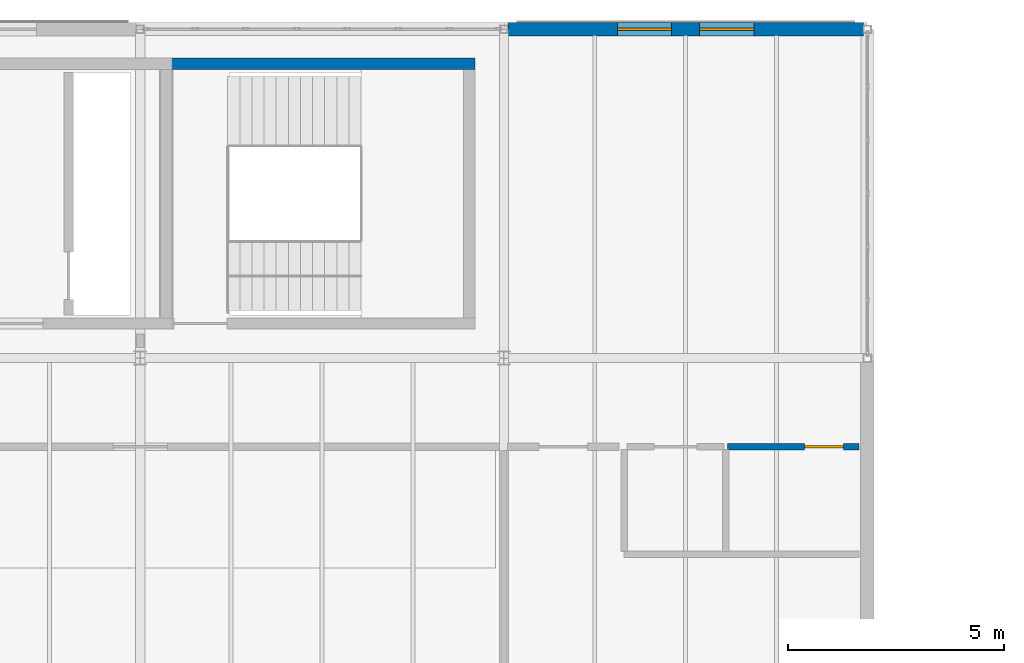
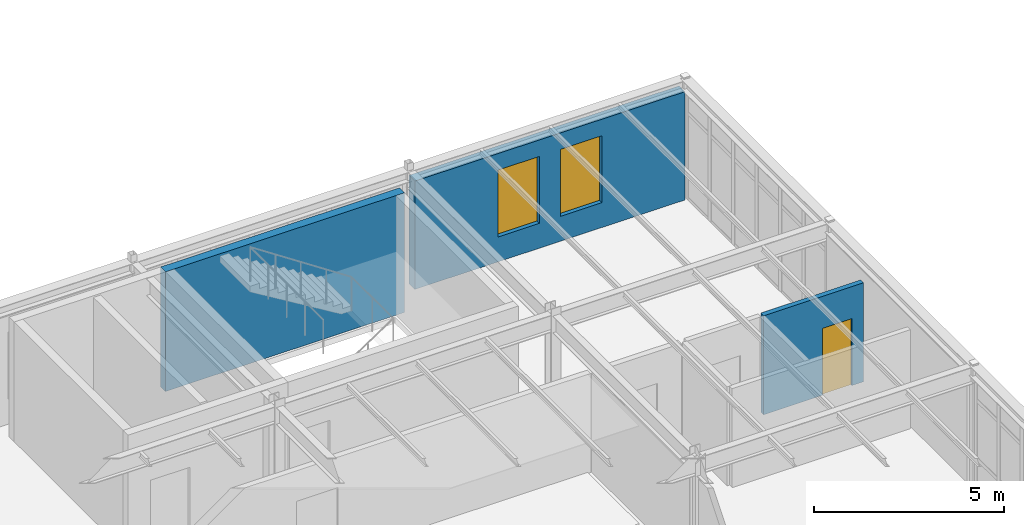
# One storey, part 52 of 65: 3 walls, 2 windows, 1 door, 3 openings.
"""IFC4 building model written with IfcOpenShell, lengths in metres."""

from ifc_helpers import new_model, si_unit, direction, frame, frame_2d, origin, place, context, subcontext, project, spatial, rectangle, extrude, material, layer, layer_set, type_object, element, fill, save


model = new_model("IFC4")

# Units and contexts
model_context = context("Model", 3, precision=1e-05, world=origin(), true_north=direction((0.0, 1.0)))
body_context = subcontext(model_context, "Body", "Model", "MODEL_VIEW")
ifc_project = project(units=[si_unit("LENGTHUNIT", "METRE"), si_unit("AREAUNIT", "SQUARE_METRE"), si_unit("VOLUMEUNIT", "CUBIC_METRE"), si_unit("PLANEANGLEUNIT", "RADIAN"), si_unit("MASSUNIT", "GRAM", prefix="KILO")], contexts=[model_context])

# Site, building, storey
site_placement = place(None, origin())
site = spatial("IfcSite", under=ifc_project, at=site_placement, CompositionType="ELEMENT")
building_placement = place(site_placement, origin())
building = spatial("IfcBuilding", under=site, at=building_placement, Name="Montecoro Central Library", CompositionType="ELEMENT")
storey_placement = place(building_placement, frame((0.0, 0.0, 17.340087890625)))
storey = spatial("IfcBuildingStorey", under=building, at=storey_placement, Name="L04", CompositionType="ELEMENT", Elevation=17.340087890625)

# Wall, openings, windows
ifc_material_1 = material(Name="Roman travertine stone clad concrete C35/45", Category="masonry")
ifc_layer_1 = layer(ifc_material_1, 0.31005859375)
ifc_layer_set_1 = layer_set([ifc_layer_1], Name="Roman travertine stone clad concrete C35/45")
wall_type_1 = type_object("IfcWallType", Name="EW-TRV-310", PredefinedType="SOLIDWALL", material=ifc_layer_set_1)
wall_1_placement = place(storey_placement, frame((116.70703125, 119.0, 0.0), z_axis=(0.0, 0.0, 1.0), x_axis=(-1.0, 0.0, 0.0)))
wall_1 = element("IfcWall", 1, at=wall_1_placement, inside=storey, type_object=wall_type_1, Name="V2-L04-EW-N5", PredefinedType="SOLIDWALL", context=body_context, shape_type="SweptSolid", body=[
    extrude(rectangle(XDim=8.214111328125, YDim=0.31005859375, at=frame_2d((4.10693359375, 0.0))), origin(), (0.0, 0.0, 1.0), 3.47998046875),
])
opening_1_placement = place(wall_1_placement, frame((2.531982421875, 0.0, 0.800048828125)))
opening_1 = element("IfcOpeningElement", 2, at=opening_1_placement, cuts=wall_1, Name="Opening WN-05", PredefinedType="OPENING", context=body_context, shape_type="SweptSolid", body=[
    extrude(rectangle(XDim=1.25, YDim=2.14990234375, at=frame_2d((0.625, 1.074951171875))), frame((0.0, 0.1650390625, 0.0), z_axis=(0.0, -1.0, 0.0), x_axis=(1.0, 0.0, 0.0)), (0.0, 0.0, 1.0), 0.330078125),
])
opening_2_placement = place(wall_1_placement, frame((4.431884765625, 0.0, 0.800048828125)))
opening_2 = element("IfcOpeningElement", 3, at=opening_2_placement, cuts=wall_1, Name="Opening WN-05", PredefinedType="OPENING", context=body_context, shape_type="SweptSolid", body=[
    extrude(rectangle(XDim=1.25, YDim=2.14990234375, at=frame_2d((0.625, 1.074951171875))), frame((0.0, 0.1650390625, 0.0), z_axis=(0.0, -1.0, 0.0), x_axis=(1.0, 0.0, 0.0)), (0.0, 0.0, 1.0), 0.330078125),
])
ifc_material_2 = material(Name="Laminated low-E double glazing", Category="glass")
window_type = type_object("IfcWindowType", Name="WN-RDG-125", PartitioningType="SINGLE_PANEL", PredefinedType="WINDOW", material=ifc_material_2)
window_1_placement = place(opening_1_placement, origin())
window_1 = element("IfcWindow", 4, at=window_1_placement, inside=storey, type_object=window_type, Name="V2-L04-WN-N5-1", OverallHeight=2.14990234375, OverallWidth=1.25, PartitioningType="SINGLE_PANEL", PredefinedType="WINDOW", context=body_context, shape_type="SweptSolid", body=[
    extrude(rectangle(XDim=1.25, YDim=2.14990234375, at=frame_2d((0.625, 1.074951171875))), frame((0.0, 0.030029296875, 0.0), z_axis=(0.0, -1.0, 0.0), x_axis=(1.0, 0.0, 0.0)), (0.0, 0.0, 1.0), 0.06005859375),
])
fill(opening_1, window_1)
window_2_placement = place(opening_2_placement, origin())
window_2 = element("IfcWindow", 5, at=window_2_placement, inside=storey, type_object=window_type, Name="V2-L04-WN-N5-2", OverallHeight=2.14990234375, OverallWidth=1.25, PartitioningType="SINGLE_PANEL", PredefinedType="WINDOW", context=body_context, shape_type="SweptSolid", body=[
    extrude(rectangle(XDim=1.25, YDim=2.14990234375, at=frame_2d((0.625, 1.074951171875))), frame((0.0, 0.030029296875, 0.0), z_axis=(0.0, -1.0, 0.0), x_axis=(1.0, 0.0, 0.0)), (0.0, 0.0, 1.0), 0.06005859375),
])
fill(opening_2, window_2)

# Wall
ifc_material_3 = material(Name="Concrete C35/45", Category="concrete")
ifc_layer_2 = layer(ifc_material_3, 0.260009765625)
ifc_layer_set_2 = layer_set([ifc_layer_2], Name="Concrete C35/45")
wall_type_2 = type_object("IfcWallType", Name="IW-SHR-260", PredefinedType="SHEAR", material=ifc_layer_set_2)
wall_2_placement = place(storey_placement, frame((100.469970703125, 118.199951171875, 0.0), z_axis=(0.0, 0.0, 1.0), x_axis=(1.0, 0.0, 0.0)))
element("IfcWall", 6, at=wall_2_placement, inside=storey, type_object=wall_type_2, Name="C3-L04-WN", PredefinedType="SHEAR", context=body_context, shape_type="SweptSolid", body=[
    extrude(rectangle(XDim=7.260009765625, YDim=0.260009765625, at=frame_2d((3.6298828125, 0.0))), origin(), (0.0, 0.0, 1.0), 3.844970703125),
])

# Wall, opening, door
ifc_material_4 = material(Name="Moisture-resistant ceramic-tiled partition")
ifc_layer_3 = layer(ifc_material_4, 0.14990234375)
ifc_layer_set_3 = layer_set([ifc_layer_3], Name="Moisture-resistant ceramic-tiled partition")
wall_type_3 = type_object("IfcWallType", Name="IW-WET-150", PredefinedType="PARTITIONING", material=ifc_layer_set_3)
wall_3_placement = place(storey_placement, frame((113.570068359375, 109.35009765625, 0.0), z_axis=(0.0, 0.0, 1.0), x_axis=(1.0, 0.0, 0.0)))
wall_3 = element("IfcWall", 7, at=wall_3_placement, inside=storey, type_object=wall_type_3, Name="WC-V2-L04-WFP", PredefinedType="PARTITIONING", context=body_context, shape_type="SweptSolid", body=[
    extrude(rectangle(XDim=3.030029296875, YDim=0.14990234375, at=frame_2d((1.51513671875, 0.0))), origin(), (0.0, 0.0, 1.0), 3.179931640625),
])
opening_3_placement = place(wall_3_placement, frame((1.780029296875, 0.0, 0.0)))
opening_3 = element("IfcOpeningElement", 8, at=opening_3_placement, cuts=wall_3, Name="Opening ID-16", PredefinedType="OPENING", context=body_context, shape_type="SweptSolid", body=[
    extrude(rectangle(XDim=0.89990234375, YDim=2.14990234375, at=frame_2d((0.449951171875, 1.074951171875))), frame((0.0, 0.0849609375, 0.0), z_axis=(0.0, -1.0, 0.0), x_axis=(1.0, 0.0, 0.0)), (0.0, 0.0, 1.0), 0.169921875),
])
ifc_material_5 = material(Name="Solid oak and fire-rated steel door", Category="steel")
door_type = type_object("IfcDoorType", Name="ID-WC-090", OperationType="NOTDEFINED", PredefinedType="DOOR", material=ifc_material_5)
door_placement = place(opening_3_placement, origin())
door = element("IfcDoor", 9, at=door_placement, inside=storey, type_object=door_type, Name="DR-SP-V2-L04-PWC", OperationType="SINGLE_SWING_RIGHT", OverallHeight=2.14990234375, OverallWidth=0.89990234375, PredefinedType="DOOR", context=body_context, shape_type="SweptSolid", body=[
    extrude(rectangle(XDim=0.89990234375, YDim=2.14990234375, at=frame_2d((0.449951171875, 1.074951171875))), frame((0.0, 0.02490234375, 0.0), z_axis=(0.0, -1.0, 0.0), x_axis=(1.0, 0.0, 0.0)), (0.0, 0.0, 1.0), 0.050048828125),
])
fill(opening_3, door)

save(model, "model.ifc")
